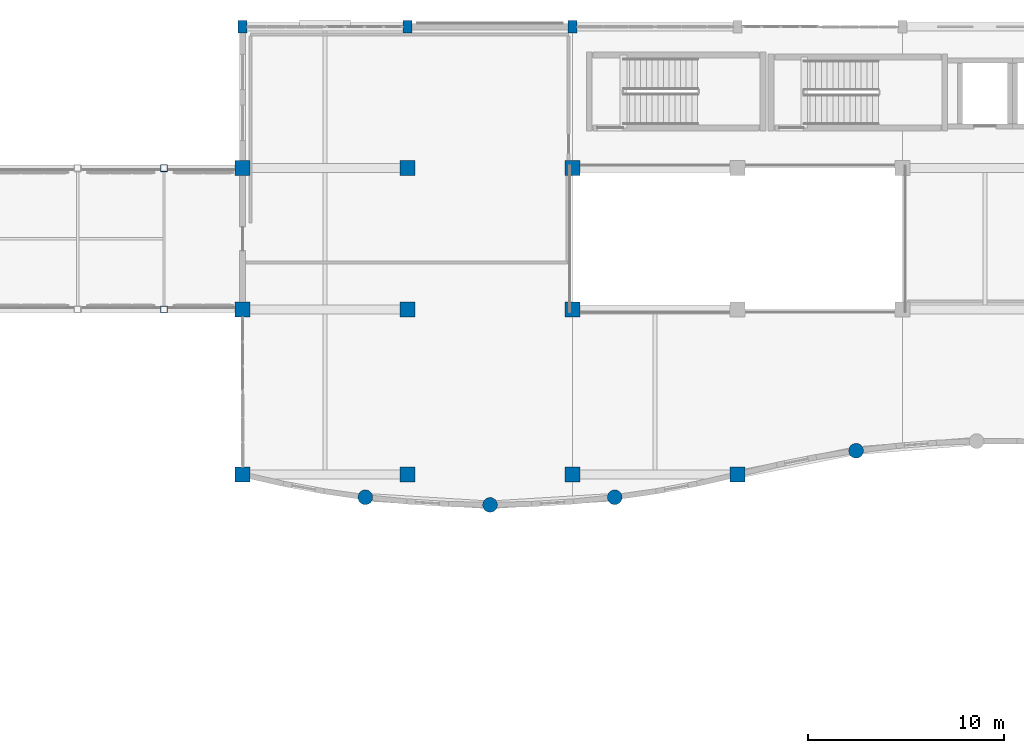
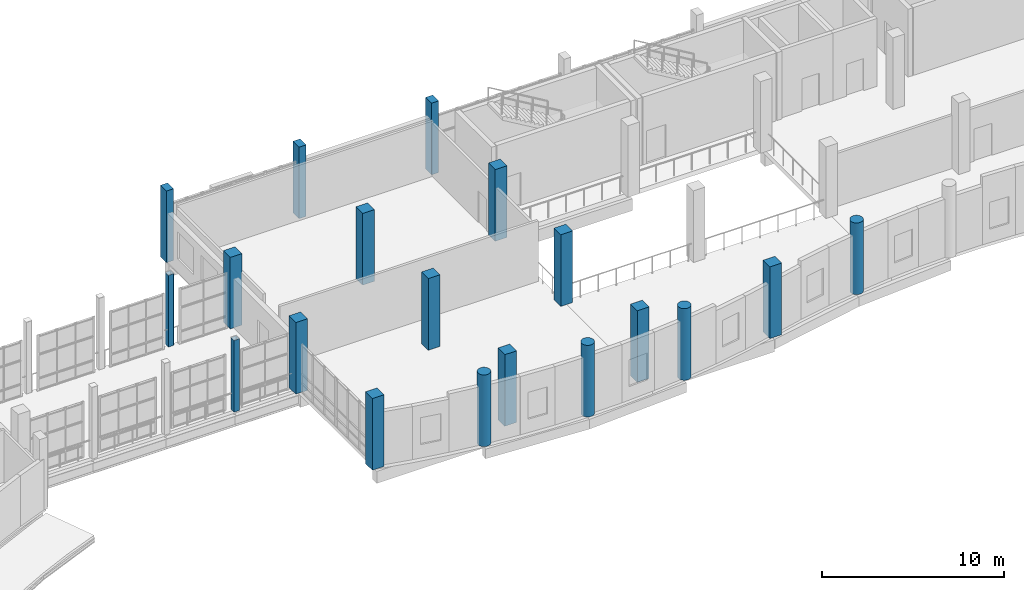
# One storey, part 7 of 106: 19 columns.
"""IFC4 building model written with IfcOpenShell, lengths in metres."""

import ifcopenshell
import ifcopenshell.guid

model = None  # the IFC model being written
_history = None  # IfcOwnerHistory: only IFC2X3 demands one
_inside = {}  # id of a spatial element -> (the spatial element, [elements in it])
_under = {}  # id of a project, library or spatial element -> (it, [spatial elements below it])
_declared = {}  # id of a project -> (the project, [libraries it declares])
_typed = {}  # id of a type object -> (the type object, [elements of that type])
_made_of = {}  # id of a material, layer set ... -> (it, [elements and type objects made of it])


def new_model(schema):
    """Start an empty IFC model of exactly this schema.

    Asked for "IFC4X3", IfcOpenShell would pick the latest addendum, in which some entities
    have other attributes; the version numbers below select the first issue.
    IFC2X3 requires an IfcOwnerHistory on every rooted entity: one is made here for all.
    """
    global model, _history
    if schema == "IFC4X3":
        model = ifcopenshell.file(schema_version=(4, 3, 0, 0))
    else:
        model = ifcopenshell.file(schema=schema)
    _inside.clear()
    _under.clear()
    _declared.clear()
    _typed.clear()
    _made_of.clear()
    _history = None
    if model.schema == "IFC2X3":
        org = make("IfcOrganization", Name="unknown")
        user = make(
            "IfcPersonAndOrganization",
            ThePerson=make("IfcPerson", FamilyName="unknown"),
            TheOrganization=org,
        )
        app = make(
            "IfcApplication",
            ApplicationDeveloper=org,
            Version="unknown",
            ApplicationFullName="unknown",
            ApplicationIdentifier="unknown",
        )
        _history = make(
            "IfcOwnerHistory",
            OwningUser=user,
            OwningApplication=app,
            ChangeAction="ADDED",
            CreationDate=0,
        )
    return model


def make(cls, **values):
    """One entity of the class cls with the attributes given. An attribute that is None is left unset."""
    return model.create_entity(
        cls, **{name: value for name, value in values.items() if value is not None}
    )


def rooted(cls, **values):
    """An entity with a GlobalId (a new one), such as an element, a storey or a relation."""
    return make(cls, GlobalId=ifcopenshell.guid.new(), OwnerHistory=_history, **values)


def si_unit(unit_type, name, prefix=None):
    """IfcSIUnit, for example si_unit("LENGTHUNIT", "METRE", prefix="MILLI")."""
    return make("IfcSIUnit", UnitType=unit_type, Prefix=prefix, Name=name)


def assignment(units):
    """IfcUnitAssignment: the units of a project."""
    return None if units is None else make("IfcUnitAssignment", Units=units)


def point(xyz):
    """IfcCartesianPoint."""
    return None if xyz is None else make("IfcCartesianPoint", Coordinates=xyz)


def direction(xyz):
    """IfcDirection."""
    return None if xyz is None else make("IfcDirection", DirectionRatios=xyz)


def frame(location, z_axis=None, x_axis=None):
    """IfcAxis2Placement3D, a coordinate frame: its origin and axes. An axis left out is left unset."""
    return make(
        "IfcAxis2Placement3D",
        Location=point(location),
        Axis=direction(z_axis),
        RefDirection=direction(x_axis),
    )


def frame_2d(location, x_axis=None):
    """IfcAxis2Placement2D, a coordinate frame in the plane: its origin and x axis."""
    return make(
        "IfcAxis2Placement2D", Location=point(location), RefDirection=direction(x_axis)
    )


def origin():
    """The frame at (0, 0, 0) with its axes left unset."""
    return frame((0.0, 0.0, 0.0))


def origin_2d():
    """The frame at (0, 0) in the plane with its x axis left unset."""
    return frame_2d((0.0, 0.0))


def place(relative_to, where):
    """IfcLocalPlacement: puts the frame where relative to a parent placement (None: the world)."""
    return make(
        "IfcLocalPlacement", PlacementRelTo=relative_to, RelativePlacement=where
    )


def context(
    kind, dimensions, precision=None, world=None, true_north=None, identifier=None
):
    """IfcGeometricRepresentationContext, for example the 3D "Model" context."""
    return make(
        "IfcGeometricRepresentationContext",
        ContextIdentifier=identifier,
        ContextType=kind,
        CoordinateSpaceDimension=dimensions,
        Precision=precision,
        WorldCoordinateSystem=world,
        TrueNorth=true_north,
    )


def subcontext(parent, identifier, kind, view, scale=None):
    """IfcGeometricRepresentationSubContext, for example "Body" below "Model"."""
    return make(
        "IfcGeometricRepresentationSubContext",
        ContextIdentifier=identifier,
        ContextType=kind,
        ParentContext=parent,
        TargetScale=scale,
        TargetView=view,
    )


def project(units=None, contexts=None):
    """IfcProject with its units and contexts."""
    return rooted(
        "IfcProject",
        Name="project",
        RepresentationContexts=contexts,
        UnitsInContext=assignment(units),
    )


def spatial(cls, under=None, at=None, **own):
    """A site, building, storey or space (cls), placed at a placement, below another one or the project."""
    s = rooted(cls, ObjectPlacement=at, **own)
    if under is not None:
        _under.setdefault(under.id(), (under, []))[1].append(s)
    return s


def profile(cls, at=None, kind="AREA", **sizes):
    """A parametric profile (cls). Its sizes go by their IFC names, for example OverallWidth=200.0."""
    return make(cls, ProfileType=kind, Position=at, **sizes)


def rectangle(**sizes):
    """IfcRectangleProfileDef."""
    return profile("IfcRectangleProfileDef", **sizes)


def hollow_rectangle(**sizes):
    """IfcRectangleHollowProfileDef."""
    return profile("IfcRectangleHollowProfileDef", **sizes)


def circle(**sizes):
    """IfcCircleProfileDef."""
    return profile("IfcCircleProfileDef", **sizes)


def extrude(swept, where, along, depth):
    """IfcExtrudedAreaSolid: the profile swept, set in the frame where, extruded along a direction by depth."""
    return make(
        "IfcExtrudedAreaSolid",
        SweptArea=swept,
        Position=where,
        ExtrudedDirection=direction(along),
        Depth=depth,
    )


def shape(context_of_items, identifier, shape_type, items):
    """IfcShapeRepresentation: the items that make up one representation, for example the "Body"."""
    return make(
        "IfcShapeRepresentation",
        ContextOfItems=context_of_items,
        RepresentationIdentifier=identifier,
        RepresentationType=shape_type,
        Items=items,
    )


def material(Name=None, Category=None):
    """IfcMaterial."""
    return make("IfcMaterial", Name=Name, Category=Category)


def material_profile(
    of_material, cross_section, Name=None, Category=None, Priority=None
):
    """IfcMaterialProfile: a cross section and its material."""
    return make(
        "IfcMaterialProfile",
        Name=Name,
        Material=of_material,
        Profile=cross_section,
        Priority=Priority,
        Category=Category,
    )


def profile_set(profiles, Name=None, composite=None):
    """IfcMaterialProfileSet."""
    return make(
        "IfcMaterialProfileSet",
        Name=Name,
        MaterialProfiles=profiles,
        CompositeProfile=composite,
    )


def made_of(thing, what):
    """Note that an element or type object is made of a material, layer set ...; save() writes the relation."""
    if what is not None:
        _made_of.setdefault(what.id(), (what, []))[1].append(thing)
    return thing


def type_object(cls, material=None, **own):
    """A type object (cls), such as IfcWallType, which elements share."""
    return made_of(rooted(cls, **own), material)


def element(
    cls,
    number,
    at=None,
    inside=None,
    cuts=None,
    type_object=None,
    material=None,
    context=None,
    identifier="Body",
    shape_type=None,
    held_by="IfcProductDefinitionShape",
    body=None,
    shapes=None,
    **own,
):
    """One element of the class cls, such as IfcWall. Its Tag is "e" and its number.

    at: its placement. inside: the storey or other place that contains it. cuts: it is an
    opening in that element (IfcRelVoidsElement). A single representation is given by context,
    identifier, shape_type and body (its items); several are given by shapes. held_by: the class
    of the entity that holds the representations. save() writes the other relations.
    """
    e = rooted(cls, Tag="e%d" % number, ObjectPlacement=at, **own)
    if body is not None:
        shapes = [shape(context, identifier, shape_type, body)]
    if shapes is not None:
        e.Representation = make(held_by, Representations=shapes)
    if inside is not None:
        _inside.setdefault(inside.id(), (inside, []))[1].append(e)
    if cuts is not None:
        rooted(
            "IfcRelVoidsElement", RelatingBuildingElement=cuts, RelatedOpeningElement=e
        )
    if type_object is not None:
        _typed.setdefault(type_object.id(), (type_object, []))[1].append(e)
    return made_of(e, material)


def aggregate(whole, parts):
    """IfcRelAggregates: a whole, such as a stair, and the parts it consists of."""
    return rooted("IfcRelAggregates", RelatingObject=whole, RelatedObjects=parts)


def save(model, path):
    """Write the relations noted so far, then the file.

    IfcRelAggregates (storeys below a building ...), IfcRelContainedInSpatialStructure (elements
    in a storey), IfcRelDefinesByType, IfcRelAssociatesMaterial and IfcRelDeclares: one each for
    every whole, place, type object, material and project.
    """
    for whole, parts in _under.values():
        aggregate(whole, parts)
    for where, things in _inside.values():
        rooted(
            "IfcRelContainedInSpatialStructure",
            RelatedElements=things,
            RelatingStructure=where,
        )
    for kind, things in _typed.values():
        rooted("IfcRelDefinesByType", RelatedObjects=things, RelatingType=kind)
    for what, things in _made_of.values():
        rooted("IfcRelAssociatesMaterial", RelatedObjects=things, RelatingMaterial=what)
    for by, libraries in _declared.values():
        rooted("IfcRelDeclares", RelatingContext=by, RelatedDefinitions=libraries)
    model.write(path)


model = new_model("IFC4")

# Units and contexts
model_context = context("Model", 3, precision=1e-05, world=origin(), true_north=direction((0.0, 1.0)))
body_context = subcontext(model_context, "Body", "Model", "MODEL_VIEW")
ifc_project = project(units=[si_unit("LENGTHUNIT", "METRE"), si_unit("AREAUNIT", "SQUARE_METRE"), si_unit("VOLUMEUNIT", "CUBIC_METRE"), si_unit("PLANEANGLEUNIT", "RADIAN"), si_unit("MASSUNIT", "GRAM", prefix="KILO")], contexts=[model_context])

# Site, building, storey
site_placement = place(None, origin())
site = spatial("IfcSite", under=ifc_project, at=site_placement, CompositionType="ELEMENT")
building_placement = place(site_placement, origin())
building = spatial("IfcBuilding", under=site, at=building_placement, Name="Kisaragi Civic Commons", CompositionType="ELEMENT")
storey_placement = place(building_placement, frame((0.0, 0.0, 4.800048828125)))
storey = spatial("IfcBuildingStorey", under=building, at=storey_placement, Name="L01", CompositionType="ELEMENT", Elevation=4.800048828125)

# Columns
ifc_material_1 = material(Name="Concrete Fc36", Category="concrete")
ifc_material_profile_1 = material_profile(ifc_material_1, rectangle(XDim=0.75, YDim=0.75, at=origin_2d()), Name="RC-750x750", Category="concrete")
ifc_profile_set_1 = profile_set([ifc_material_profile_1], Name="Concrete Fc36")
column_type_1 = type_object("IfcColumnType", Name="C-02", PredefinedType="COLUMN", material=ifc_profile_set_1)
for number, where, z_axis, x_axis, name in (
    (1, (80.39990234375, 96.0, 0.0), (0.0, 0.0, 1.0), (1.0, 0.0, 0.0), "L01 column C-02 (80.4,96.0)"),
    (2, (80.39990234375, 104.39990234375, 0.0), (0.0, 0.0, 1.0), (1.0, 0.0, 0.0), "L01 column C-02 (80.4,104.4)"),
    (3, (80.39990234375, 111.60009765625, 0.0), (0.0, 0.0, 1.0), (1.0, 0.0, 0.0), "L01 column C-02 (80.4,111.6)"),
    (4, (88.800048828125, 96.0, 0.0), (0.0, 0.0, 1.0), (1.0, 0.0, 0.0), "L01 column C-02 (88.8,96.0)"),
    (5, (88.800048828125, 104.39990234375, 0.0), (0.0, 0.0, 1.0), (1.0, 0.0, 0.0), "L01 column C-02 (88.8,104.4)"),
    (6, (88.800048828125, 111.60009765625, 0.0), (0.0, 0.0, 1.0), (1.0, 0.0, 0.0), "L01 column C-02 (88.8,111.6)"),
):
    element("IfcColumn", number, at=place(storey_placement, frame(where, z_axis=z_axis, x_axis=x_axis)), inside=storey, type_object=column_type_1, Name=name, PredefinedType="COLUMN", context=body_context, shape_type="SweptSolid", body=[
        extrude(rectangle(XDim=0.75, YDim=0.75, at=origin_2d()), origin(), (0.0, 0.0, 1.0), 4.800048828125),
    ])
ifc_material_profile_2 = material_profile(ifc_material_1, rectangle(XDim=0.75, YDim=0.75, at=origin_2d()), Name="RC-750x750", Category="concrete")
ifc_profile_set_2 = profile_set([ifc_material_profile_2], Name="Concrete Fc36")
column_type_2 = type_object("IfcColumnType", Name="C-06", PredefinedType="COLUMN", material=ifc_profile_set_2)
for number, where, z_axis, x_axis, name in (
    (7, (72.0, 96.0, 0.0), (0.0, 0.0, 1.0), (1.0, 0.0, 0.0), "L01 column C-06 (72.0,96.0)"),
    (8, (72.0, 104.39990234375, 0.0), (0.0, 0.0, 1.0), (1.0, 0.0, 0.0), "L01 column C-06 (72.0,104.4)"),
    (9, (72.0, 111.60009765625, 0.0), (0.0, 0.0, 1.0), (1.0, 0.0, 0.0), "L01 column C-06 (72.0,111.6)"),
    (10, (97.199951171875, 96.0, 0.0), (0.0, 0.0, 1.0), (1.0, 0.0, 0.0), "L01 column C-06 (97.2,96.0)"),
):
    element("IfcColumn", number, at=place(storey_placement, frame(where, z_axis=z_axis, x_axis=x_axis)), inside=storey, type_object=column_type_2, Name=name, PredefinedType="COLUMN", context=body_context, shape_type="SweptSolid", body=[
        extrude(rectangle(XDim=0.75, YDim=0.75, at=origin_2d()), origin(), (0.0, 0.0, 1.0), 4.800048828125),
    ])
ifc_material_2 = material(Name="Steel BCR295", Category="steel")
ifc_material_profile_3 = material_profile(ifc_material_2, hollow_rectangle(XDim=0.35009765625, YDim=0.35009765625, WallThickness=0.011962890625, InnerFilletRadius=0.011962890625, OuterFilletRadius=0.02392578125, at=origin_2d()), Name="BCR-350x350x12", Category="steel")
ifc_profile_set_3 = profile_set([ifc_material_profile_3], Name="Steel BCR295")
column_type_3 = type_object("IfcColumnType", Name="C-13", PredefinedType="COLUMN", material=ifc_profile_set_3)
for number, where, z_axis, x_axis, name in (
    (11, (68.0, 104.39990234375, 0.0), (0.0, 0.0, 1.0), (1.0, 0.0, 0.0), "L01 column C-13 (68.0,104.4)"),
    (12, (68.0, 111.60009765625, 0.0), (0.0, 0.0, 1.0), (1.0, 0.0, 0.0), "L01 column C-13 (68.0,111.6)"),
):
    element("IfcColumn", number, at=place(storey_placement, frame(where, z_axis=z_axis, x_axis=x_axis)), inside=storey, type_object=column_type_3, Name=name, PredefinedType="COLUMN", context=body_context, shape_type="SweptSolid", body=[
        extrude(hollow_rectangle(XDim=0.35009765625, YDim=0.35009765625, WallThickness=0.011962890625, InnerFilletRadius=0.011962890625, OuterFilletRadius=0.02392578125, at=origin_2d()), origin(), (0.0, 0.0, 1.0), 4.800048828125),
    ])
ifc_material_profile_4 = material_profile(ifc_material_1, circle(Radius=0.375, at=origin_2d()), Name="RC-D750", Category="concrete")
ifc_profile_set_4 = profile_set([ifc_material_profile_4], Name="Concrete Fc36")
column_type_4 = type_object("IfcColumnType", Name="C-24", PredefinedType="COLUMN", material=ifc_profile_set_4)
for number, where, z_axis, x_axis, name in (
    (13, (78.25244140625, 94.839111328125, 0.0), (0.0, 0.0, 1.0), (1.0, 0.0, 0.0), "L01 column C-24 (78.3,94.8)"),
    (14, (84.60009765625, 94.450439453125, 0.0), (0.0, 0.0, 1.0), (1.0, 0.0, 0.0), "L01 column C-24 (84.6,94.5)"),
    (15, (90.947509765625, 94.839111328125, 0.0), (0.0, 0.0, 1.0), (1.0, 0.0, 0.0), "L01 column C-24 (90.9,94.8)"),
    (16, (103.236572265625, 97.20751953125, 0.0), (0.0, 0.0, 1.0), (1.0, 0.0, 0.0), "L01 column C-24 (103.2,97.2)"),
):
    element("IfcColumn", number, at=place(storey_placement, frame(where, z_axis=z_axis, x_axis=x_axis)), inside=storey, type_object=column_type_4, Name=name, PredefinedType="COLUMN", context=body_context, shape_type="SweptSolid", body=[
        extrude(circle(Radius=0.375, at=origin_2d()), origin(), (0.0, 0.0, 1.0), 4.800048828125),
    ])
ifc_material_3 = material(Name="Precast concrete Fc36", Category="concrete")
ifc_material_profile_5 = material_profile(ifc_material_3, rectangle(XDim=0.449951171875, YDim=0.64990234375, at=origin_2d()), Name="RC-450x650", Category="concrete")
ifc_profile_set_5 = profile_set([ifc_material_profile_5], Name="Precast concrete Fc36")
column_type_5 = type_object("IfcColumnType", Name="PL-03", PredefinedType="PILASTER", material=ifc_profile_set_5)
for number, where, z_axis, x_axis, name in (
    (17, (72.0, 118.800048828125, 0.0), (0.0, 0.0, 1.0), (1.0, 0.0, 0.0), "L01 column PL-03 (72.0,118.8)"),
    (18, (80.39990234375, 118.800048828125, 0.0), (0.0, 0.0, 1.0), (1.0, 0.0, 0.0), "L01 column PL-03 (80.4,118.8)"),
    (19, (88.800048828125, 118.800048828125, 0.0), (0.0, 0.0, 1.0), (1.0, 0.0, 0.0), "L01 column PL-03 (88.8,118.8)"),
):
    element("IfcColumn", number, at=place(storey_placement, frame(where, z_axis=z_axis, x_axis=x_axis)), inside=storey, type_object=column_type_5, Name=name, PredefinedType="PILASTER", context=body_context, shape_type="SweptSolid", body=[
        extrude(rectangle(XDim=0.449951171875, YDim=0.64990234375, at=origin_2d()), origin(), (0.0, 0.0, 1.0), 4.800048828125),
    ])

save(model, "model.ifc")
